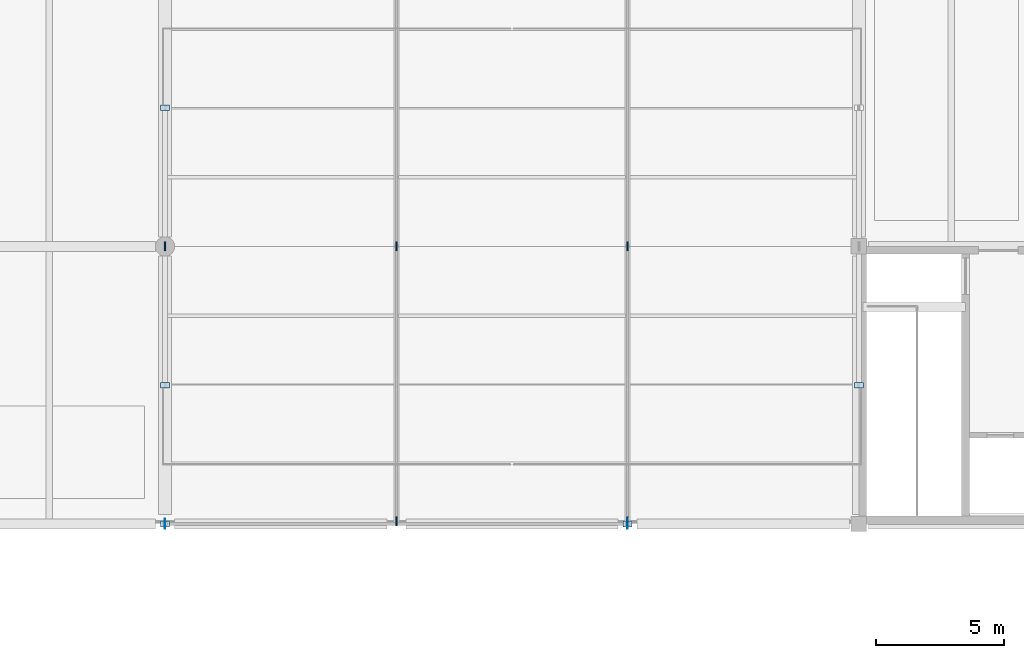
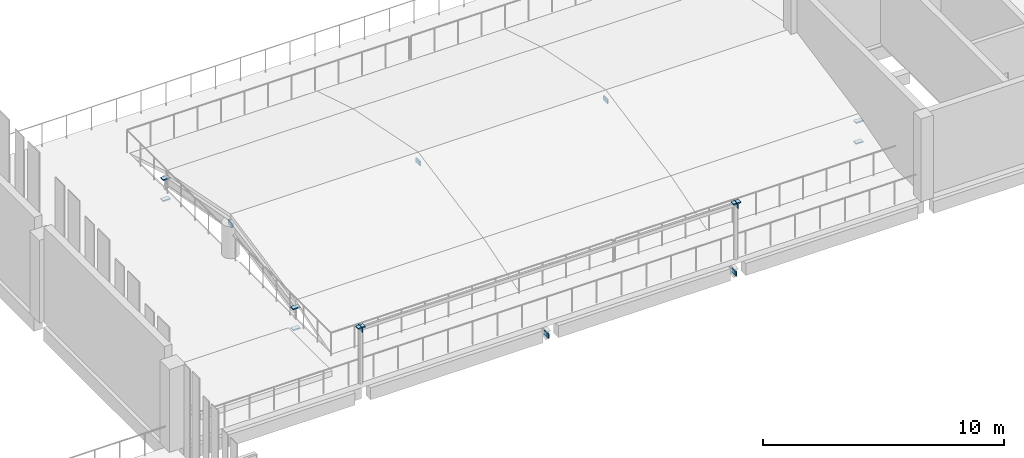
# One storey, part 129 of 158: 15 plates.
"""IFC4 building model written with IfcOpenShell, lengths in metres."""

from ifc_helpers import new_model, si_unit, direction, frame, origin, origin_2d, place, context, subcontext, project, spatial, rectangle, extrude, material, layer, layer_set, type_object, element, save


model = new_model("IFC4")

# Units and contexts
model_context = context("Model", 3, precision=1e-05, world=origin(), true_north=direction((0.0, 1.0)))
body_context = subcontext(model_context, "Body", "Model", "MODEL_VIEW")
ifc_project = project(units=[si_unit("LENGTHUNIT", "METRE"), si_unit("AREAUNIT", "SQUARE_METRE"), si_unit("VOLUMEUNIT", "CUBIC_METRE"), si_unit("PLANEANGLEUNIT", "RADIAN"), si_unit("MASSUNIT", "GRAM", prefix="KILO")], contexts=[model_context])

# Site, building, storey
site_placement = place(None, origin())
site = spatial("IfcSite", under=ifc_project, at=site_placement, CompositionType="ELEMENT")
building_placement = place(site_placement, origin())
building = spatial("IfcBuilding", under=site, at=building_placement, Name="Lusvemor Sports Hall", CompositionType="ELEMENT")
storey_placement = place(building_placement, frame((0.0, 0.0, 10.800048828125)))
storey = spatial("IfcBuildingStorey", under=building, at=storey_placement, Name="L02", CompositionType="ELEMENT", Elevation=10.800048828125)

# Plates
ifc_material_1 = material(Name="Steel S355", Category="steel")
ifc_layer_1 = layer(ifc_material_1, 0.013916015625)
ifc_layer_set_1 = layer_set([ifc_layer_1], Name="Steel S355")
plate_type_1 = type_object("IfcPlateType", Name="GUSSET_CANOPY_D", PredefinedType="USERDEFINED", material=ifc_layer_set_1)
for number, where, z_axis, x_axis, name in (
    (1, (84.60009765625, 7.199951171875, 2.635009765625), (0.0, 0.0, 1.0), (1.0, 0.0, 0.0), "Pergola Rafter End Cap PERG-L02-E-1A"),
    (2, (102.60009765625, 7.199951171875, 2.635009765625), (0.0, 0.0, 1.0), (1.0, 0.0, 0.0), "Pergola Rafter End Cap PERG-L02-E-1B"),
):
    element("IfcPlate", number, at=place(storey_placement, frame(where, z_axis=z_axis, x_axis=x_axis)), inside=storey, type_object=plate_type_1, Name=name, ObjectType="GUSSET_PLATE", PredefinedType="USERDEFINED", context=body_context, shape_type="SweptSolid", body=[
        extrude(rectangle(XDim=0.013916015625, YDim=0.389892578125, at=origin_2d()), origin(), (0.0, 0.0, 1.0), 0.25),
    ])
ifc_material_2 = material(Name="Steel S355", Category="steel")
ifc_layer_2 = layer(ifc_material_2, 0.06005859375)
ifc_layer_set_2 = layer_set([ifc_layer_2], Name="Steel S355")
plate_type_2 = type_object("IfcPlateType", Name="GUSSET_TIE_F", PredefinedType="USERDEFINED", material=ifc_layer_set_2)
for number, where, z_axis, x_axis, name in (
    (3, (84.60009765625, 12.60009765625, -0.530029296875), (0.0, 0.0, 1.0), (1.0, 0.0, 0.0), "Lantern Portal Strut Gusset 9-S-B"),
    (4, (84.60009765625, 12.60009765625, 0.530029296875), (0.0, 0.0, 1.0), (1.0, 0.0, 0.0), "Lantern Portal Strut Gusset 9-S-T"),
    (5, (84.60009765625, 23.39990234375, -0.530029296875), (0.0, 0.0, 1.0), (1.0, 0.0, 0.0), "Lantern Portal Strut Gusset 9-N-B"),
    (6, (84.60009765625, 23.39990234375, 0.530029296875), (0.0, 0.0, 1.0), (1.0, 0.0, 0.0), "Lantern Portal Strut Gusset 9-N-T"),
):
    element("IfcPlate", number, at=place(storey_placement, frame(where, z_axis=z_axis, x_axis=x_axis)), inside=storey, type_object=plate_type_2, Name=name, ObjectType="GUSSET_PLATE", PredefinedType="USERDEFINED", context=body_context, shape_type="SweptSolid", body=[
        extrude(rectangle(XDim=0.35009765625, YDim=0.219970703125, at=origin_2d()), origin(), (0.0, 0.0, 1.0), 0.06005859375),
    ])
for number, where, z_axis, x_axis, name in (
    (7, (84.60009765625, 18.0, 1.39990234375), (0.0, 0.0, 1.0), (1.0, 0.0, 0.0), "Foyer Portal Ridge Gusset 9"),
    (8, (93.60009765625, 7.31005859375, -0.85986328125), (0.0, 0.0, 1.0), (1.0, 0.0, 0.0), "Foyer Portal Knee Gusset 10-S"),
    (9, (93.60009765625, 18.0, 1.39990234375), (0.0, 0.0, 1.0), (1.0, 0.0, 0.0), "Foyer Portal Ridge Gusset 10"),
    (10, (102.60009765625, 7.31005859375, -0.85986328125), (0.0, 0.0, 1.0), (1.0, 0.0, 0.0), "Foyer Portal Knee Gusset 11-S"),
    (11, (102.60009765625, 18.0, 1.39990234375), (0.0, 0.0, 1.0), (1.0, 0.0, 0.0), "Foyer Portal Ridge Gusset 11"),
):
    element("IfcPlate", number, at=place(storey_placement, frame(where, z_axis=z_axis, x_axis=x_axis)), inside=storey, type_object=plate_type_2, Name=name, ObjectType="GUSSET_PLATE", PredefinedType="USERDEFINED", context=body_context, shape_type="SweptSolid", body=[
        extrude(rectangle(XDim=0.06005859375, YDim=0.35009765625, at=origin_2d()), origin(), (0.0, 0.0, 1.0), 0.219970703125),
    ])
for number, where, z_axis, x_axis, name in (
    (12, (111.60009765625, 12.60009765625, -0.530029296875), (0.0, 0.0, 1.0), (1.0, 0.0, 0.0), "Lantern Portal Strut Gusset 12-S-B"),
    (13, (111.60009765625, 12.60009765625, 0.530029296875), (0.0, 0.0, 1.0), (1.0, 0.0, 0.0), "Lantern Portal Strut Gusset 12-S-T"),
    (14, (84.60009765625, 7.199951171875, 2.81982421875), (0.0, 0.0, 1.0), (1.0, 0.0, 0.0), "Pergola Post Cap PERG-L02-E-1A"),
    (15, (102.60009765625, 7.199951171875, 2.81982421875), (0.0, 0.0, 1.0), (1.0, 0.0, 0.0), "Pergola Post Cap PERG-L02-E-1B"),
):
    element("IfcPlate", number, at=place(storey_placement, frame(where, z_axis=z_axis, x_axis=x_axis)), inside=storey, type_object=plate_type_2, Name=name, ObjectType="GUSSET_PLATE", PredefinedType="USERDEFINED", context=body_context, shape_type="SweptSolid", body=[
        extrude(rectangle(XDim=0.35009765625, YDim=0.219970703125, at=origin_2d()), origin(), (0.0, 0.0, 1.0), 0.06005859375),
    ])

save(model, "model.ifc")
